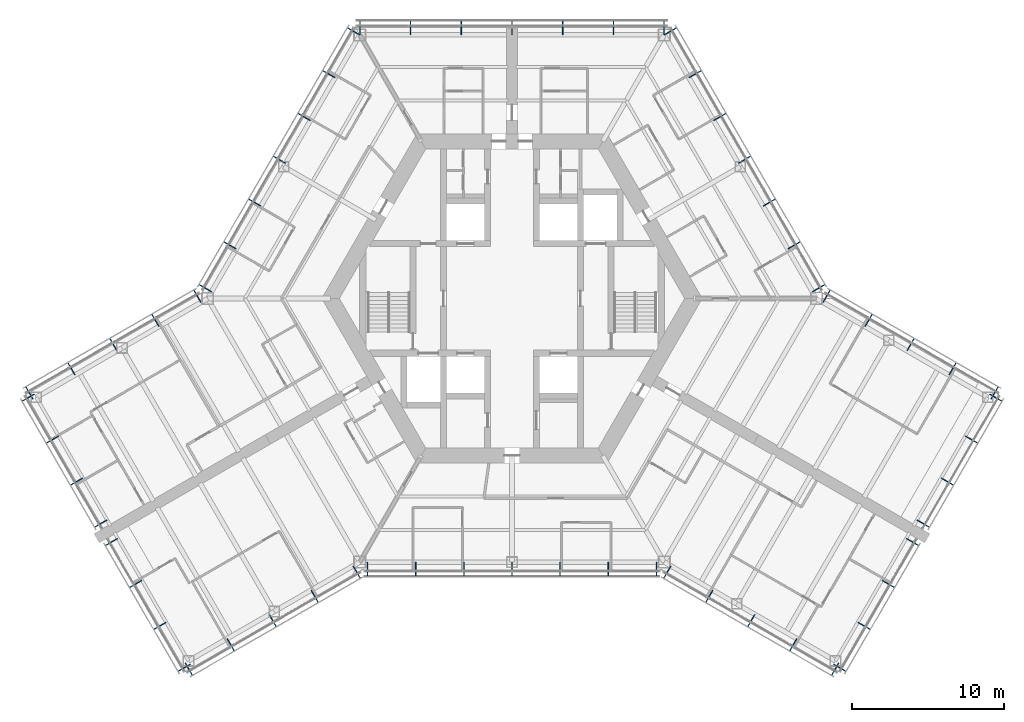
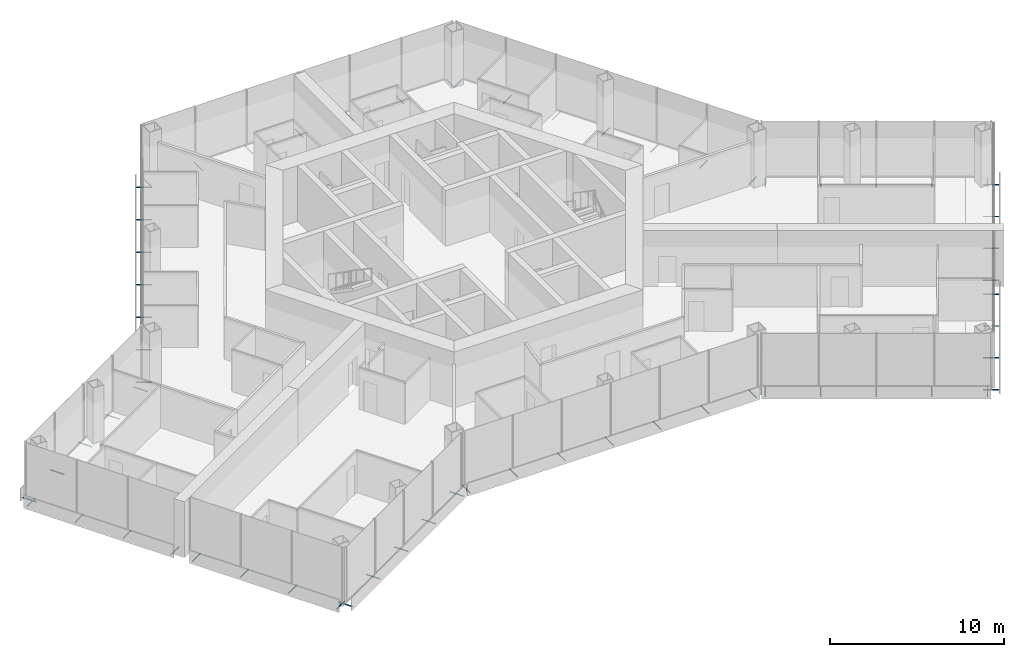
# One storey, part 17 of 19: 64 discrete accessories.
"""IFC4 building model written with IfcOpenShell, lengths in metres."""

from ifc_helpers import new_model, si_unit, direction, frame, origin, origin_2d, place, context, subcontext, project, spatial, hollow_circle, extrude, material, material_profile, profile_set, type_object, element, save


model = new_model("IFC4")

# Units and contexts
model_context = context("Model", 3, precision=1e-05, world=origin(), true_north=direction((0.0, 1.0)))
body_context = subcontext(model_context, "Body", "Model", "MODEL_VIEW")
ifc_project = project(units=[si_unit("LENGTHUNIT", "METRE"), si_unit("AREAUNIT", "SQUARE_METRE"), si_unit("VOLUMEUNIT", "CUBIC_METRE"), si_unit("PLANEANGLEUNIT", "RADIAN"), si_unit("MASSUNIT", "GRAM", prefix="KILO")], contexts=[model_context])

# Site, building, storey
site_placement = place(None, origin())
site = spatial("IfcSite", under=ifc_project, at=site_placement, CompositionType="ELEMENT")
building_placement = place(site_placement, origin())
building = spatial("IfcBuilding", under=site, at=building_placement, Name="Kasaneha Research Tower", CompositionType="ELEMENT")
storey_placement = place(building_placement, frame((0.0, 0.0, 164.300048828125)))
storey = spatial("IfcBuildingStorey", under=building, at=storey_placement, Name="L41", CompositionType="ELEMENT", Elevation=164.300048828125)

# Discrete accessories
ifc_material = material(Name="Steel STK400", Category="steel")
ifc_material_profile = material_profile(ifc_material, hollow_circle(Radius=0.0380859375, WallThickness=0.00390625, at=origin_2d()), Name="CHS-76.3x4.0")
ifc_profile_set = profile_set([ifc_material_profile], Name="Steel STK400")
discrete_accessory_type = type_object("IfcDiscreteAccessoryType", Name="Screen bracket CHS-76.3x4.0", PredefinedType="BRACKET", material=ifc_profile_set)
for number, where, z_axis, x_axis, name in (
    (1, (-9.4892578125, -17.320556640625, -0.300048828125), (0.0, -1.0, 0.0), (1.0, 0.0, 0.0), "Screen bracket 1"),
    (2, (-6.326171875, -17.320556640625, -0.300048828125), (0.0, -1.0, 0.0), (1.0, 0.0, 0.0), "Screen bracket 2"),
    (3, (-3.1630859375, -17.320556640625, -0.300048828125), (0.0, -1.0, 0.0), (1.0, 0.0, 0.0), "Screen bracket 3"),
    (4, (0.0, -17.320556640625, -0.300048828125), (0.0, -1.0, 0.0), (1.0, 0.0, 0.0), "Screen bracket 4"),
    (5, (3.1630859375, -17.320556640625, -0.300048828125), (0.0, -1.0, 0.0), (1.0, 0.0, 0.0), "Screen bracket 5"),
    (6, (6.326171875, -17.320556640625, -0.300048828125), (0.0, -1.0, 0.0), (1.0, 0.0, 0.0), "Screen bracket 6"),
    (7, (9.4892578125, -17.320556640625, -0.300048828125), (0.0, -1.0, 0.0), (1.0, 0.0, 0.0), "Screen bracket 7"),
    (8, (10.4423828125, -17.575927734375, -0.300048828125), (-0.500021113727, -0.866013213425, 0.0), (0.866013213425, -0.500021113727, 0.0), "Screen bracket 1"),
):
    element("IfcDiscreteAccessory", number, at=place(storey_placement, frame(where, z_axis=z_axis, x_axis=x_axis)), inside=storey, type_object=discrete_accessory_type, Name=name, PredefinedType="BRACKET", context=body_context, shape_type="SweptSolid", body=[
        extrude(hollow_circle(Radius=0.0380859375, WallThickness=0.00390625, at=origin_2d()), origin(), (0.0, 0.0, 1.0), 0.919921875),
    ])
discrete_accessory_1_placement = place(storey_placement, frame((13.200439453125, -19.168212890625, -0.300048828125), z_axis=(-0.499906209203, -0.866079547155, 0.0), x_axis=(0.866079547155, -0.499906209203, 0.0)))
element("IfcDiscreteAccessory", 9, at=discrete_accessory_1_placement, inside=storey, type_object=discrete_accessory_type, Name="Screen bracket 2", PredefinedType="BRACKET", context=body_context, shape_type="SweptSolid", body=[
    extrude(hollow_circle(Radius=0.0380859375, WallThickness=0.00390625, at=origin_2d()), origin(), (0.0, 0.0, 1.0), 0.920166015625),
])
discrete_accessory_2_placement = place(storey_placement, frame((15.95849609375, -20.7607421875, -0.300048828125), z_axis=(-0.500021113727, -0.866013213425, 0.0), x_axis=(0.866013213425, -0.500021113727, 0.0)))
element("IfcDiscreteAccessory", 10, at=discrete_accessory_2_placement, inside=storey, type_object=discrete_accessory_type, Name="Screen bracket 3", PredefinedType="BRACKET", context=body_context, shape_type="SweptSolid", body=[
    extrude(hollow_circle(Radius=0.0380859375, WallThickness=0.00390625, at=origin_2d()), origin(), (0.0, 0.0, 1.0), 0.919921875),
])
discrete_accessory_3_placement = place(storey_placement, frame((18.716796875, -22.35302734375, -0.300048828125), z_axis=(-0.500105201737, -0.865964657013, 0.0), x_axis=(0.865964657013, -0.500105201737, 0.0)))
element("IfcDiscreteAccessory", 11, at=discrete_accessory_3_placement, inside=storey, type_object=discrete_accessory_type, Name="Screen bracket 4", PredefinedType="BRACKET", context=body_context, shape_type="SweptSolid", body=[
    extrude(hollow_circle(Radius=0.0380859375, WallThickness=0.00390625, at=origin_2d()), origin(), (0.0, 0.0, 1.0), 0.920166015625),
])
discrete_accessory_4_placement = place(storey_placement, frame((21.474853515625, -23.945556640625, -0.300048828125), z_axis=(-0.500021113727, -0.866013213425, 0.0), x_axis=(0.866013213425, -0.500021113727, 0.0)))
element("IfcDiscreteAccessory", 12, at=discrete_accessory_4_placement, inside=storey, type_object=discrete_accessory_type, Name="Screen bracket 5", PredefinedType="BRACKET", context=body_context, shape_type="SweptSolid", body=[
    extrude(hollow_circle(Radius=0.0380859375, WallThickness=0.00390625, at=origin_2d()), origin(), (0.0, 0.0, 1.0), 0.919921875),
])
discrete_accessory_5_placement = place(storey_placement, frame((21.13330078125, -24.037109375, -0.300048828125), z_axis=(0.866079547155, -0.499906209203, 0.0), x_axis=(0.499906209203, 0.866079547155, 0.0)))
element("IfcDiscreteAccessory", 13, at=discrete_accessory_5_placement, inside=storey, type_object=discrete_accessory_type, Name="Screen bracket 1", PredefinedType="BRACKET", context=body_context, shape_type="SweptSolid", body=[
    extrude(hollow_circle(Radius=0.0380859375, WallThickness=0.00390625, at=origin_2d()), origin(), (0.0, 0.0, 1.0), 0.920166015625),
])
discrete_accessory_6_placement = place(storey_placement, frame((22.72509765625, -21.2802734375, -0.300048828125), z_axis=(0.866013213425, -0.500021113727, 0.0), x_axis=(0.500021113727, 0.866013213425, 0.0)))
element("IfcDiscreteAccessory", 14, at=discrete_accessory_6_placement, inside=storey, type_object=discrete_accessory_type, Name="Screen bracket 2", PredefinedType="BRACKET", context=body_context, shape_type="SweptSolid", body=[
    extrude(hollow_circle(Radius=0.0380859375, WallThickness=0.00390625, at=origin_2d()), origin(), (0.0, 0.0, 1.0), 0.919921875),
])
discrete_accessory_7_placement = place(storey_placement, frame((24.316650390625, -18.5234375, -0.300048828125), z_axis=(0.866079547155, -0.499906209203, 0.0), x_axis=(0.499906209203, 0.866079547155, 0.0)))
element("IfcDiscreteAccessory", 15, at=discrete_accessory_7_placement, inside=storey, type_object=discrete_accessory_type, Name="Screen bracket 3", PredefinedType="BRACKET", context=body_context, shape_type="SweptSolid", body=[
    extrude(hollow_circle(Radius=0.0380859375, WallThickness=0.00390625, at=origin_2d()), origin(), (0.0, 0.0, 1.0), 0.920166015625),
])
for number, where, z_axis, x_axis, name in (
    (16, (25.908447265625, -15.766357421875, -0.300048828125), (0.865898279276, -0.500220121494, 0.0), (0.500220121494, 0.865898279276, 0.0), "Screen bracket 4"),
    (17, (26.6083984375, -14.553955078125, -0.300048828125), (0.866013213425, -0.500021113727, 0.0), (0.500021113727, 0.866013213425, 0.0), "Screen bracket 1"),
):
    element("IfcDiscreteAccessory", number, at=place(storey_placement, frame(where, z_axis=z_axis, x_axis=x_axis)), inside=storey, type_object=discrete_accessory_type, Name=name, PredefinedType="BRACKET", context=body_context, shape_type="SweptSolid", body=[
        extrude(hollow_circle(Radius=0.0380859375, WallThickness=0.00390625, at=origin_2d()), origin(), (0.0, 0.0, 1.0), 0.919921875),
    ])
discrete_accessory_8_placement = place(storey_placement, frame((28.199951171875, -11.797119140625, -0.300048828125), z_axis=(0.866079547155, -0.499906209203, 0.0), x_axis=(0.499906209203, 0.866079547155, 0.0)))
element("IfcDiscreteAccessory", 18, at=discrete_accessory_8_placement, inside=storey, type_object=discrete_accessory_type, Name="Screen bracket 2", PredefinedType="BRACKET", context=body_context, shape_type="SweptSolid", body=[
    extrude(hollow_circle(Radius=0.0380859375, WallThickness=0.00390625, at=origin_2d()), origin(), (0.0, 0.0, 1.0), 0.920166015625),
])
discrete_accessory_9_placement = place(storey_placement, frame((29.791748046875, -9.040283203125, -0.300048828125), z_axis=(0.866013213425, -0.500021113727, 0.0), x_axis=(0.500021113727, 0.866013213425, 0.0)))
element("IfcDiscreteAccessory", 19, at=discrete_accessory_9_placement, inside=storey, type_object=discrete_accessory_type, Name="Screen bracket 3", PredefinedType="BRACKET", context=body_context, shape_type="SweptSolid", body=[
    extrude(hollow_circle(Radius=0.0380859375, WallThickness=0.00390625, at=origin_2d()), origin(), (0.0, 0.0, 1.0), 0.919921875),
])
discrete_accessory_10_placement = place(storey_placement, frame((31.38330078125, -6.283447265625, -0.300048828125), z_axis=(0.866079547155, -0.499906209203, 0.0), x_axis=(0.499906209203, 0.866079547155, 0.0)))
element("IfcDiscreteAccessory", 20, at=discrete_accessory_10_placement, inside=storey, type_object=discrete_accessory_type, Name="Screen bracket 4", PredefinedType="BRACKET", context=body_context, shape_type="SweptSolid", body=[
    extrude(hollow_circle(Radius=0.0380859375, WallThickness=0.00390625, at=origin_2d()), origin(), (0.0, 0.0, 1.0), 0.920166015625),
])
discrete_accessory_11_placement = place(storey_placement, frame((31.474853515625, -6.625, -0.300048828125), z_axis=(0.500021113727, 0.866013213425, 0.0), x_axis=(-0.866013213425, 0.500021113727, 0.0)))
element("IfcDiscreteAccessory", 21, at=discrete_accessory_11_placement, inside=storey, type_object=discrete_accessory_type, Name="Screen bracket 1", PredefinedType="BRACKET", context=body_context, shape_type="SweptSolid", body=[
    extrude(hollow_circle(Radius=0.0380859375, WallThickness=0.00390625, at=origin_2d()), origin(), (0.0, 0.0, 1.0), 0.919921875),
])
discrete_accessory_12_placement = place(storey_placement, frame((28.716796875, -5.03271484375, -0.300048828125), z_axis=(0.499906209203, 0.866079547155, 0.0), x_axis=(-0.866079547155, 0.499906209203, 0.0)))
element("IfcDiscreteAccessory", 22, at=discrete_accessory_12_placement, inside=storey, type_object=discrete_accessory_type, Name="Screen bracket 2", PredefinedType="BRACKET", context=body_context, shape_type="SweptSolid", body=[
    extrude(hollow_circle(Radius=0.0380859375, WallThickness=0.00390625, at=origin_2d()), origin(), (0.0, 0.0, 1.0), 0.920166015625),
])
discrete_accessory_13_placement = place(storey_placement, frame((25.95849609375, -3.440185546875, -0.300048828125), z_axis=(0.500220121494, 0.865898279276, 0.0), x_axis=(-0.865898279276, 0.500220121494, 0.0)))
element("IfcDiscreteAccessory", 23, at=discrete_accessory_13_placement, inside=storey, type_object=discrete_accessory_type, Name="Screen bracket 3", PredefinedType="BRACKET", context=body_context, shape_type="SweptSolid", body=[
    extrude(hollow_circle(Radius=0.0380859375, WallThickness=0.00390625, at=origin_2d()), origin(), (0.0, 0.0, 1.0), 0.919921875),
])
discrete_accessory_14_placement = place(storey_placement, frame((23.200439453125, -1.847900390625, -0.300048828125), z_axis=(0.499906209203, 0.866079547155, 0.0), x_axis=(-0.866079547155, 0.499906209203, 0.0)))
element("IfcDiscreteAccessory", 24, at=discrete_accessory_14_placement, inside=storey, type_object=discrete_accessory_type, Name="Screen bracket 4", PredefinedType="BRACKET", context=body_context, shape_type="SweptSolid", body=[
    extrude(hollow_circle(Radius=0.0380859375, WallThickness=0.00390625, at=origin_2d()), origin(), (0.0, 0.0, 1.0), 0.920166015625),
])
for number, where, z_axis, x_axis, name in (
    (25, (20.4423828125, -0.25537109375, -0.300048828125), (0.500021113727, 0.866013213425, 0.0), (-0.866013213425, 0.500021113727, 0.0), "Screen bracket 5"),
    (26, (19.74462890625, 0.4423828125, -0.300048828125), (0.866013213425, 0.500021113727, 0.0), (-0.500021113727, 0.866013213425, 0.0), "Screen bracket 1"),
    (27, (18.120849609375, 3.2548828125, -0.300048828125), (0.866013213425, 0.500021113727, 0.0), (-0.500021113727, 0.866013213425, 0.0), "Screen bracket 2"),
    (28, (16.4970703125, 6.0673828125, -0.300048828125), (0.866013213425, 0.500021113727, 0.0), (-0.500021113727, 0.866013213425, 0.0), "Screen bracket 3"),
    (29, (14.873291015625, 8.8798828125, -0.300048828125), (0.866013213425, 0.500021113727, 0.0), (-0.500021113727, 0.866013213425, 0.0), "Screen bracket 4"),
    (30, (13.24951171875, 11.6923828125, -0.300048828125), (0.866013213425, 0.500021113727, 0.0), (-0.500021113727, 0.866013213425, 0.0), "Screen bracket 5"),
):
    element("IfcDiscreteAccessory", number, at=place(storey_placement, frame(where, z_axis=z_axis, x_axis=x_axis)), inside=storey, type_object=discrete_accessory_type, Name=name, PredefinedType="BRACKET", context=body_context, shape_type="SweptSolid", body=[
        extrude(hollow_circle(Radius=0.0380859375, WallThickness=0.00390625, at=origin_2d()), origin(), (0.0, 0.0, 1.0), 0.919921875),
    ])
for number, where, z_axis, x_axis, name in (
    (31, (11.62548828125, 14.5048828125, -0.300048828125), (0.866079547155, 0.499906209203, 0.0), (-0.499906209203, 0.866079547155, 0.0), "Screen bracket 6"),
    (32, (10.001708984375, 17.3173828125, -0.300048828125), (0.866079547155, 0.499906209203, 0.0), (-0.499906209203, 0.866079547155, 0.0), "Screen bracket 7"),
):
    element("IfcDiscreteAccessory", number, at=place(storey_placement, frame(where, z_axis=z_axis, x_axis=x_axis)), inside=storey, type_object=discrete_accessory_type, Name=name, PredefinedType="BRACKET", context=body_context, shape_type="SweptSolid", body=[
        extrude(hollow_circle(Radius=0.0380859375, WallThickness=0.00390625, at=origin_2d()), origin(), (0.0, 0.0, 1.0), 0.920166015625),
    ])
for number, where, z_axis, x_axis, name in (
    (33, (9.996337890625, 17.320556640625, -0.300048828125), (0.0, 1.0, 0.0), (-1.0, 0.0, 0.0), "Screen bracket 1"),
    (34, (6.664306640625, 17.320556640625, -0.300048828125), (0.0, 1.0, 0.0), (-1.0, 0.0, 0.0), "Screen bracket 2"),
    (35, (3.33203125, 17.320556640625, -0.300048828125), (0.0, 1.0, 0.0), (-1.0, 0.0, 0.0), "Screen bracket 3"),
    (36, (0.0, 17.320556640625, -0.300048828125), (0.0, 1.0, 0.0), (-1.0, 0.0, 0.0), "Screen bracket 4"),
    (37, (-3.33203125, 17.320556640625, -0.300048828125), (0.0, 1.0, 0.0), (-1.0, 0.0, 0.0), "Screen bracket 5"),
    (38, (-6.664306640625, 17.320556640625, -0.300048828125), (0.0, 1.0, 0.0), (-1.0, 0.0, 0.0), "Screen bracket 6"),
    (39, (-9.996337890625, 17.320556640625, -0.300048828125), (0.0, 1.0, 0.0), (-1.0, 0.0, 0.0), "Screen bracket 7"),
):
    element("IfcDiscreteAccessory", number, at=place(storey_placement, frame(where, z_axis=z_axis, x_axis=x_axis)), inside=storey, type_object=discrete_accessory_type, Name=name, PredefinedType="BRACKET", context=body_context, shape_type="SweptSolid", body=[
        extrude(hollow_circle(Radius=0.0380859375, WallThickness=0.00390625, at=origin_2d()), origin(), (0.0, 0.0, 1.0), 0.919921875),
    ])
for number, where, z_axis, x_axis, name in (
    (40, (-10.001708984375, 17.3173828125, -0.300048828125), (-0.866079547155, 0.499906209203, 0.0), (-0.499906209203, -0.866079547155, 0.0), "Screen bracket 1"),
    (41, (-11.62548828125, 14.5048828125, -0.300048828125), (-0.866079547155, 0.499906209203, 0.0), (-0.499906209203, -0.866079547155, 0.0), "Screen bracket 2"),
):
    element("IfcDiscreteAccessory", number, at=place(storey_placement, frame(where, z_axis=z_axis, x_axis=x_axis)), inside=storey, type_object=discrete_accessory_type, Name=name, PredefinedType="BRACKET", context=body_context, shape_type="SweptSolid", body=[
        extrude(hollow_circle(Radius=0.0380859375, WallThickness=0.00390625, at=origin_2d()), origin(), (0.0, 0.0, 1.0), 0.920166015625),
    ])
for number, where, z_axis, x_axis, name in (
    (42, (-13.24951171875, 11.6923828125, -0.300048828125), (-0.866013213425, 0.500021113727, 0.0), (-0.500021113727, -0.866013213425, 0.0), "Screen bracket 3"),
    (43, (-14.873291015625, 8.8798828125, -0.300048828125), (-0.866013213425, 0.500021113727, 0.0), (-0.500021113727, -0.866013213425, 0.0), "Screen bracket 4"),
    (44, (-16.4970703125, 6.0673828125, -0.300048828125), (-0.866013213425, 0.500021113727, 0.0), (-0.500021113727, -0.866013213425, 0.0), "Screen bracket 5"),
    (45, (-18.120849609375, 3.2548828125, -0.300048828125), (-0.866013213425, 0.500021113727, 0.0), (-0.500021113727, -0.866013213425, 0.0), "Screen bracket 6"),
    (46, (-19.74462890625, 0.4423828125, -0.300048828125), (-0.866013213425, 0.500021113727, 0.0), (-0.500021113727, -0.866013213425, 0.0), "Screen bracket 7"),
    (47, (-20.4423828125, -0.25537109375, -0.300048828125), (-0.500021113727, 0.866013213425, 0.0), (-0.866013213425, -0.500021113727, 0.0), "Screen bracket 1"),
):
    element("IfcDiscreteAccessory", number, at=place(storey_placement, frame(where, z_axis=z_axis, x_axis=x_axis)), inside=storey, type_object=discrete_accessory_type, Name=name, PredefinedType="BRACKET", context=body_context, shape_type="SweptSolid", body=[
        extrude(hollow_circle(Radius=0.0380859375, WallThickness=0.00390625, at=origin_2d()), origin(), (0.0, 0.0, 1.0), 0.919921875),
    ])
discrete_accessory_15_placement = place(storey_placement, frame((-23.200439453125, -1.847900390625, -0.300048828125), z_axis=(-0.499906209203, 0.866079547155, 0.0), x_axis=(-0.866079547155, -0.499906209203, 0.0)))
element("IfcDiscreteAccessory", 48, at=discrete_accessory_15_placement, inside=storey, type_object=discrete_accessory_type, Name="Screen bracket 2", PredefinedType="BRACKET", context=body_context, shape_type="SweptSolid", body=[
    extrude(hollow_circle(Radius=0.0380859375, WallThickness=0.00390625, at=origin_2d()), origin(), (0.0, 0.0, 1.0), 0.920166015625),
])
discrete_accessory_16_placement = place(storey_placement, frame((-25.95849609375, -3.440185546875, -0.300048828125), z_axis=(-0.500220121494, 0.865898279276, 0.0), x_axis=(-0.865898279276, -0.500220121494, 0.0)))
element("IfcDiscreteAccessory", 49, at=discrete_accessory_16_placement, inside=storey, type_object=discrete_accessory_type, Name="Screen bracket 3", PredefinedType="BRACKET", context=body_context, shape_type="SweptSolid", body=[
    extrude(hollow_circle(Radius=0.0380859375, WallThickness=0.00390625, at=origin_2d()), origin(), (0.0, 0.0, 1.0), 0.919921875),
])
discrete_accessory_17_placement = place(storey_placement, frame((-28.716796875, -5.03271484375, -0.300048828125), z_axis=(-0.499906209203, 0.866079547155, 0.0), x_axis=(-0.866079547155, -0.499906209203, 0.0)))
element("IfcDiscreteAccessory", 50, at=discrete_accessory_17_placement, inside=storey, type_object=discrete_accessory_type, Name="Screen bracket 4", PredefinedType="BRACKET", context=body_context, shape_type="SweptSolid", body=[
    extrude(hollow_circle(Radius=0.0380859375, WallThickness=0.00390625, at=origin_2d()), origin(), (0.0, 0.0, 1.0), 0.920166015625),
])
discrete_accessory_18_placement = place(storey_placement, frame((-31.474853515625, -6.625, -0.300048828125), z_axis=(-0.500021113727, 0.866013213425, 0.0), x_axis=(-0.866013213425, -0.500021113727, 0.0)))
element("IfcDiscreteAccessory", 51, at=discrete_accessory_18_placement, inside=storey, type_object=discrete_accessory_type, Name="Screen bracket 5", PredefinedType="BRACKET", context=body_context, shape_type="SweptSolid", body=[
    extrude(hollow_circle(Radius=0.0380859375, WallThickness=0.00390625, at=origin_2d()), origin(), (0.0, 0.0, 1.0), 0.919921875),
])
discrete_accessory_19_placement = place(storey_placement, frame((-31.38330078125, -6.283447265625, -0.300048828125), z_axis=(-0.866079547155, -0.499906209203, 0.0), x_axis=(0.499906209203, -0.866079547155, 0.0)))
element("IfcDiscreteAccessory", 52, at=discrete_accessory_19_placement, inside=storey, type_object=discrete_accessory_type, Name="Screen bracket 1", PredefinedType="BRACKET", context=body_context, shape_type="SweptSolid", body=[
    extrude(hollow_circle(Radius=0.0380859375, WallThickness=0.00390625, at=origin_2d()), origin(), (0.0, 0.0, 1.0), 0.920166015625),
])
discrete_accessory_20_placement = place(storey_placement, frame((-29.791748046875, -9.040283203125, -0.300048828125), z_axis=(-0.866013213425, -0.500021113727, 0.0), x_axis=(0.500021113727, -0.866013213425, 0.0)))
element("IfcDiscreteAccessory", 53, at=discrete_accessory_20_placement, inside=storey, type_object=discrete_accessory_type, Name="Screen bracket 2", PredefinedType="BRACKET", context=body_context, shape_type="SweptSolid", body=[
    extrude(hollow_circle(Radius=0.0380859375, WallThickness=0.00390625, at=origin_2d()), origin(), (0.0, 0.0, 1.0), 0.919921875),
])
discrete_accessory_21_placement = place(storey_placement, frame((-28.199951171875, -11.797119140625, -0.300048828125), z_axis=(-0.866079547155, -0.499906209203, 0.0), x_axis=(0.499906209203, -0.866079547155, 0.0)))
element("IfcDiscreteAccessory", 54, at=discrete_accessory_21_placement, inside=storey, type_object=discrete_accessory_type, Name="Screen bracket 3", PredefinedType="BRACKET", context=body_context, shape_type="SweptSolid", body=[
    extrude(hollow_circle(Radius=0.0380859375, WallThickness=0.00390625, at=origin_2d()), origin(), (0.0, 0.0, 1.0), 0.920166015625),
])
for number, where, z_axis, x_axis, name in (
    (55, (-26.6083984375, -14.553955078125, -0.300048828125), (-0.866013213425, -0.500021113727, 0.0), (0.500021113727, -0.866013213425, 0.0), "Screen bracket 4"),
    (56, (-25.908447265625, -15.766357421875, -0.300048828125), (-0.865898279276, -0.500220121494, 0.0), (0.500220121494, -0.865898279276, 0.0), "Screen bracket 1"),
):
    element("IfcDiscreteAccessory", number, at=place(storey_placement, frame(where, z_axis=z_axis, x_axis=x_axis)), inside=storey, type_object=discrete_accessory_type, Name=name, PredefinedType="BRACKET", context=body_context, shape_type="SweptSolid", body=[
        extrude(hollow_circle(Radius=0.0380859375, WallThickness=0.00390625, at=origin_2d()), origin(), (0.0, 0.0, 1.0), 0.919921875),
    ])
discrete_accessory_22_placement = place(storey_placement, frame((-24.316650390625, -18.5234375, -0.300048828125), z_axis=(-0.866079547155, -0.499906209203, 0.0), x_axis=(0.499906209203, -0.866079547155, 0.0)))
element("IfcDiscreteAccessory", 57, at=discrete_accessory_22_placement, inside=storey, type_object=discrete_accessory_type, Name="Screen bracket 2", PredefinedType="BRACKET", context=body_context, shape_type="SweptSolid", body=[
    extrude(hollow_circle(Radius=0.0380859375, WallThickness=0.00390625, at=origin_2d()), origin(), (0.0, 0.0, 1.0), 0.920166015625),
])
discrete_accessory_23_placement = place(storey_placement, frame((-22.72509765625, -21.2802734375, -0.300048828125), z_axis=(-0.866013213425, -0.500021113727, 0.0), x_axis=(0.500021113727, -0.866013213425, 0.0)))
element("IfcDiscreteAccessory", 58, at=discrete_accessory_23_placement, inside=storey, type_object=discrete_accessory_type, Name="Screen bracket 3", PredefinedType="BRACKET", context=body_context, shape_type="SweptSolid", body=[
    extrude(hollow_circle(Radius=0.0380859375, WallThickness=0.00390625, at=origin_2d()), origin(), (0.0, 0.0, 1.0), 0.919921875),
])
discrete_accessory_24_placement = place(storey_placement, frame((-21.13330078125, -24.037109375, -0.300048828125), z_axis=(-0.866079547155, -0.499906209203, 0.0), x_axis=(0.499906209203, -0.866079547155, 0.0)))
element("IfcDiscreteAccessory", 59, at=discrete_accessory_24_placement, inside=storey, type_object=discrete_accessory_type, Name="Screen bracket 4", PredefinedType="BRACKET", context=body_context, shape_type="SweptSolid", body=[
    extrude(hollow_circle(Radius=0.0380859375, WallThickness=0.00390625, at=origin_2d()), origin(), (0.0, 0.0, 1.0), 0.920166015625),
])
discrete_accessory_25_placement = place(storey_placement, frame((-21.474853515625, -23.945556640625, -0.300048828125), z_axis=(0.500021113727, -0.866013213425, 0.0), x_axis=(0.866013213425, 0.500021113727, 0.0)))
element("IfcDiscreteAccessory", 60, at=discrete_accessory_25_placement, inside=storey, type_object=discrete_accessory_type, Name="Screen bracket 1", PredefinedType="BRACKET", context=body_context, shape_type="SweptSolid", body=[
    extrude(hollow_circle(Radius=0.0380859375, WallThickness=0.00390625, at=origin_2d()), origin(), (0.0, 0.0, 1.0), 0.919921875),
])
discrete_accessory_26_placement = place(storey_placement, frame((-18.716796875, -22.35302734375, -0.300048828125), z_axis=(0.500105201737, -0.865964657013, 0.0), x_axis=(0.865964657013, 0.500105201737, 0.0)))
element("IfcDiscreteAccessory", 61, at=discrete_accessory_26_placement, inside=storey, type_object=discrete_accessory_type, Name="Screen bracket 2", PredefinedType="BRACKET", context=body_context, shape_type="SweptSolid", body=[
    extrude(hollow_circle(Radius=0.0380859375, WallThickness=0.00390625, at=origin_2d()), origin(), (0.0, 0.0, 1.0), 0.920166015625),
])
discrete_accessory_27_placement = place(storey_placement, frame((-15.95849609375, -20.7607421875, -0.300048828125), z_axis=(0.500021113727, -0.866013213425, 0.0), x_axis=(0.866013213425, 0.500021113727, 0.0)))
element("IfcDiscreteAccessory", 62, at=discrete_accessory_27_placement, inside=storey, type_object=discrete_accessory_type, Name="Screen bracket 3", PredefinedType="BRACKET", context=body_context, shape_type="SweptSolid", body=[
    extrude(hollow_circle(Radius=0.0380859375, WallThickness=0.00390625, at=origin_2d()), origin(), (0.0, 0.0, 1.0), 0.919921875),
])
discrete_accessory_28_placement = place(storey_placement, frame((-13.200439453125, -19.168212890625, -0.300048828125), z_axis=(0.499906209203, -0.866079547155, 0.0), x_axis=(0.866079547155, 0.499906209203, 0.0)))
element("IfcDiscreteAccessory", 63, at=discrete_accessory_28_placement, inside=storey, type_object=discrete_accessory_type, Name="Screen bracket 4", PredefinedType="BRACKET", context=body_context, shape_type="SweptSolid", body=[
    extrude(hollow_circle(Radius=0.0380859375, WallThickness=0.00390625, at=origin_2d()), origin(), (0.0, 0.0, 1.0), 0.920166015625),
])
discrete_accessory_29_placement = place(storey_placement, frame((-10.4423828125, -17.575927734375, -0.300048828125), z_axis=(0.500021113727, -0.866013213425, 0.0), x_axis=(0.866013213425, 0.500021113727, 0.0)))
element("IfcDiscreteAccessory", 64, at=discrete_accessory_29_placement, inside=storey, type_object=discrete_accessory_type, Name="Screen bracket 5", PredefinedType="BRACKET", context=body_context, shape_type="SweptSolid", body=[
    extrude(hollow_circle(Radius=0.0380859375, WallThickness=0.00390625, at=origin_2d()), origin(), (0.0, 0.0, 1.0), 0.919921875),
])

save(model, "model.ifc")
